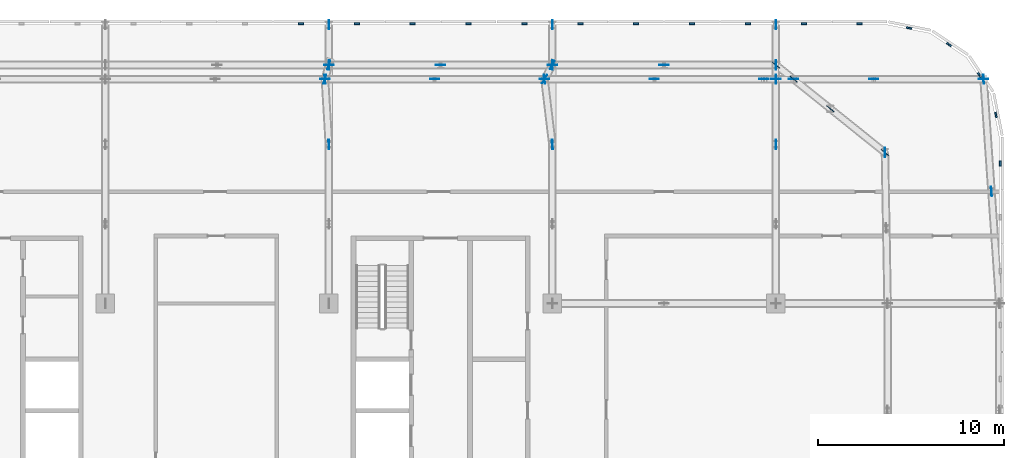
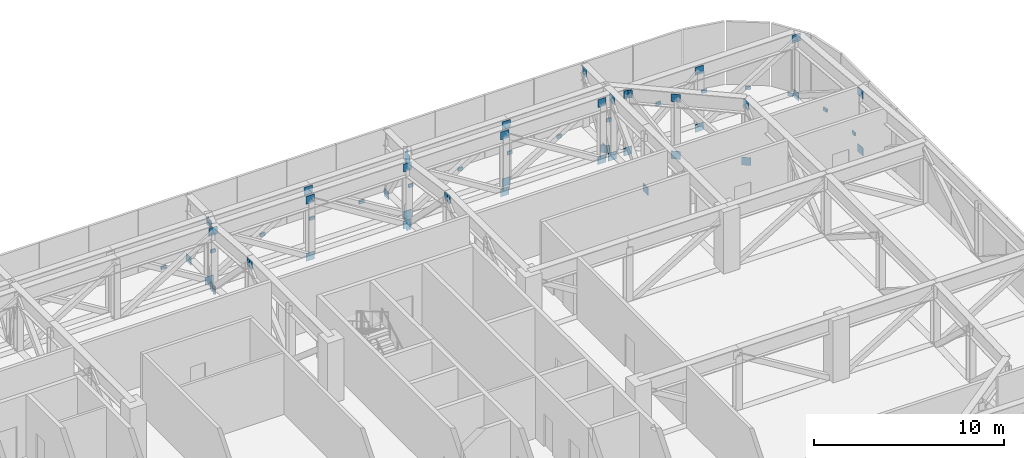
# One storey, part 23 of 29: 63 discrete accessories.
"""IFC4 building model written with IfcOpenShell, lengths in metres."""

from ifc_helpers import new_model, si_unit, direction, frame, origin, origin_2d, place, context, subcontext, project, spatial, rectangle, extrude, material, layer, layer_set, type_object, element, save


model = new_model("IFC4")

# Units and contexts
model_context = context("Model", 3, precision=1e-05, world=origin(), true_north=direction((0.0, 1.0)))
body_context = subcontext(model_context, "Body", "Model", "MODEL_VIEW")
ifc_project = project(units=[si_unit("LENGTHUNIT", "METRE"), si_unit("AREAUNIT", "SQUARE_METRE"), si_unit("VOLUMEUNIT", "CUBIC_METRE"), si_unit("PLANEANGLEUNIT", "RADIAN"), si_unit("MASSUNIT", "GRAM", prefix="KILO")], contexts=[model_context])

# Site, building, storey
site_placement = place(None, origin())
site = spatial("IfcSite", under=ifc_project, at=site_placement, CompositionType="ELEMENT")
building_placement = place(site_placement, origin())
building = spatial("IfcBuilding", under=site, at=building_placement, Name="Mahtab Terrace Research Tower", CompositionType="ELEMENT")
storey_placement = place(building_placement, frame((0.0, 0.0, 259.0)))
storey = spatial("IfcBuildingStorey", under=building, at=storey_placement, Name="L63", CompositionType="ELEMENT", Elevation=259.0)

# Discrete accessories
ifc_material_1 = material(Name="Black anodised aluminium", Category="aluminium")
discrete_accessory_type_1 = type_object("IfcDiscreteAccessoryType", Name="Facade bracket", PredefinedType="BRACKET", material=ifc_material_1)
for number, where, z_axis, x_axis, name in (
    (1, (54.044921875, 19.025634765625, -0.2998046875), (0.0, 0.0, 1.0), (0.0, 1.0, 0.0), "Louvre bracket L63 43"),
    (2, (53.815673828125, 21.6298828125, -0.2998046875), (0.0, 0.0, 1.0), (-0.195212442692, 0.980760981187, 0.0), "Louvre bracket L63 44"),
    (3, (52.930419921875, 23.767578125, -0.2998046875), (0.0, 0.0, 1.0), (-0.555291490808, 0.831655794326, 0.0), "Louvre bracket L63 45"),
    (4, (51.29443359375, 25.4033203125, -0.2998046875), (0.0, 0.0, 1.0), (-0.831655794326, 0.555291490808, 0.0), "Louvre bracket L63 46"),
    (5, (49.15673828125, 26.28857421875, -0.2998046875), (0.0, 0.0, 1.0), (-0.980760981187, 0.195212442692, 0.0), "Louvre bracket L63 47"),
    (6, (46.5, 26.51806640625, -0.2998046875), (0.0, 0.0, 1.0), (-1.0, 0.0, 0.0), "Louvre bracket L63 48"),
    (7, (43.5, 26.51806640625, -0.2998046875), (0.0, 0.0, 1.0), (-1.0, 0.0, 0.0), "Louvre bracket L63 49"),
    (8, (40.5, 26.51806640625, -0.2998046875), (0.0, 0.0, 1.0), (-1.0, 0.0, 0.0), "Louvre bracket L63 50"),
    (9, (37.5, 26.51806640625, -0.2998046875), (0.0, 0.0, 1.0), (-1.0, 0.0, 0.0), "Louvre bracket L63 51"),
    (10, (34.5, 26.51806640625, -0.2998046875), (0.0, 0.0, 1.0), (-1.0, 0.0, 0.0), "Louvre bracket L63 52"),
    (11, (31.5, 26.51806640625, -0.2998046875), (0.0, 0.0, 1.0), (-1.0, 0.0, 0.0), "Louvre bracket L63 53"),
    (12, (28.5, 26.51806640625, -0.2998046875), (0.0, 0.0, 1.0), (-1.0, 0.0, 0.0), "Louvre bracket L63 54"),
    (13, (25.5, 26.51806640625, -0.2998046875), (0.0, 0.0, 1.0), (-1.0, 0.0, 0.0), "Louvre bracket L63 55"),
    (14, (22.5, 26.51806640625, -0.2998046875), (0.0, 0.0, 1.0), (-1.0, 0.0, 0.0), "Louvre bracket L63 56"),
    (15, (19.5, 26.51806640625, -0.2998046875), (0.0, 0.0, 1.0), (-1.0, 0.0, 0.0), "Louvre bracket L63 57"),
    (16, (16.5, 26.51806640625, -0.2998046875), (0.0, 0.0, 1.0), (-1.0, 0.0, 0.0), "Louvre bracket L63 58"),
):
    element("IfcDiscreteAccessory", number, at=place(storey_placement, frame(where, z_axis=z_axis, x_axis=x_axis)), inside=storey, type_object=discrete_accessory_type_1, Name=name, PredefinedType="BRACKET", context=body_context, shape_type="SweptSolid", body=[
        extrude(rectangle(XDim=0.300048828125, YDim=0.090087890625, at=origin_2d()), origin(), (0.0, 0.0, 1.0), 0.199951171875),
    ])
ifc_material_2 = material(Name="Steel ASTM A992 Gr 50", Category="steel")
ifc_layer = layer(ifc_material_2, 0.030029296875)
ifc_layer_set = layer_set([ifc_layer], Name="Gusset plate 500x500x30")
discrete_accessory_type_2 = type_object("IfcDiscreteAccessoryType", Name="Gusset plate 500x500x30", PredefinedType="USERDEFINED", material=ifc_layer_set)
for number, where, z_axis, x_axis, name in (
    (17, (17.7880859375, 23.5458984375, 3.209716796875), (0.0, 0.0, 1.0), (1.0, 0.0, 0.0), "Gusset plate"),
    (18, (18.0, 24.306884765625, -0.44677734375), (0.0, 0.0, 1.0), (1.0, 0.0, 0.0), "Gusset plate"),
    (19, (23.68310546875, 23.5458984375, -0.44677734375), (0.0, 0.0, 1.0), (1.0, 0.0, 0.0), "Gusset plate"),
    (20, (23.68310546875, 23.5458984375, 3.209716796875), (0.0, 0.0, 1.0), (1.0, 0.0, 0.0), "Gusset plate"),
    (21, (24.0, 24.306884765625, 3.209716796875), (0.0, 0.0, 1.0), (1.0, 0.0, 0.0), "Gusset plate"),
    (22, (29.576904296875, 23.5458984375, -0.44677734375), (0.0, 0.0, 1.0), (1.0, 0.0, 0.0), "Gusset plate"),
    (23, (29.576904296875, 23.5458984375, 3.209716796875), (0.0, 0.0, 1.0), (1.0, 0.0, 0.0), "Gusset plate"),
    (24, (30.0, 24.306884765625, -0.44677734375), (0.0, 0.0, 1.0), (1.0, 0.0, 0.0), "Gusset plate"),
    (25, (35.470947265625, 23.5458984375, -0.44677734375), (0.0, 0.0, 1.0), (1.0, 0.0, 0.0), "Gusset plate"),
    (26, (35.470947265625, 23.5458984375, 3.209716796875), (0.0, 0.0, 1.0), (1.0, 0.0, 0.0), "Gusset plate"),
    (27, (36.0, 24.306884765625, -0.44677734375), (0.0, 0.0, 1.0), (1.0, 0.0, 0.0), "Gusset plate"),
    (28, (36.0, 24.306884765625, 3.209716796875), (0.0, 0.0, 1.0), (1.0, 0.0, 0.0), "Gusset plate"),
    (29, (41.365966796875, 23.5458984375, -0.44677734375), (0.0, 0.0, 1.0), (1.0, 0.0, 0.0), "Gusset plate"),
    (30, (41.365966796875, 23.5458984375, 3.209716796875), (0.0, 0.0, 1.0), (1.0, 0.0, 0.0), "Gusset plate"),
    (31, (42.0, 23.5458984375, -0.44677734375), (0.0, 0.0, 1.0), (1.0, 0.0, 0.0), "Gusset plate"),
    (32, (42.947998046875, 23.5458984375, -0.44677734375), (0.0, 0.0, 1.0), (1.0, 0.0, 0.0), "Gusset plate"),
    (33, (42.947998046875, 23.5458984375, 3.209716796875), (0.0, 0.0, 1.0), (1.0, 0.0, 0.0), "Gusset plate"),
    (34, (47.260009765625, 23.5458984375, -0.44677734375), (0.0, 0.0, 1.0), (1.0, 0.0, 0.0), "Gusset plate"),
    (35, (47.260009765625, 23.5458984375, 3.209716796875), (0.0, 0.0, 1.0), (1.0, 0.0, 0.0), "Gusset plate"),
    (36, (53.154052734375, 23.5458984375, 3.209716796875), (0.0, 0.0, 1.0), (1.0, 0.0, 0.0), "Gusset plate"),
    (37, (29.576904296875, 23.5458984375, -0.44677734375), (0.0, 0.0, 1.0), (0.485832043113, 0.874052187163, 0.0), "Gusset plate"),
    (38, (30.0, 24.306884765625, 3.209716796875), (0.0, 0.0, 1.0), (0.485832043113, 0.874052187163, 0.0), "Gusset plate"),
    (39, (17.7880859375, 23.5458984375, -0.44677734375), (0.0, 0.0, 1.0), (0.268365034227, 0.963317293733, 0.0), "Gusset plate"),
    (40, (18.0, 24.306884765625, 3.209716796875), (0.0, 0.0, 1.0), (0.268365034227, 0.963317293733, 0.0), "Gusset plate"),
    (41, (18.0, 20.0380859375, 3.209716796875), (0.0, 0.0, 1.0), (0.0, 1.0, 0.0), "Gusset plate"),
    (42, (18.0, 24.306884765625, 3.209716796875), (0.0, 0.0, 1.0), (0.0, 1.0, 0.0), "Gusset plate"),
    (43, (18.0, 26.472900390625, -0.44677734375), (0.0, 0.0, 1.0), (0.0, 1.0, 0.0), "Gusset plate"),
    (44, (30.0, 20.0380859375, 3.209716796875), (0.0, 0.0, 1.0), (0.0, 1.0, 0.0), "Gusset plate"),
    (45, (30.0, 24.306884765625, 3.209716796875), (0.0, 0.0, 1.0), (0.0, 1.0, 0.0), "Gusset plate"),
    (46, (30.0, 26.472900390625, -0.44677734375), (0.0, 0.0, 1.0), (0.0, 1.0, 0.0), "Gusset plate"),
    (47, (42.0, 20.0380859375, -0.44677734375), (0.0, 0.0, 1.0), (0.0, 1.0, 0.0), "Gusset plate"),
    (48, (42.0, 23.5458984375, 3.209716796875), (0.0, 0.0, 1.0), (0.0, 1.0, 0.0), "Gusset plate"),
    (49, (42.0, 24.306884765625, -0.44677734375), (0.0, 0.0, 1.0), (0.0, 1.0, 0.0), "Gusset plate"),
    (50, (42.0, 26.472900390625, 3.209716796875), (0.0, 0.0, 1.0), (0.0, 1.0, 0.0), "Gusset plate"),
    (51, (47.85693359375, 19.60498046875, 3.209716796875), (0.0, 0.0, 1.0), (-0.017522208932, 0.999846474312, 0.0), "Gusset plate"),
    (52, (17.7880859375, 23.5458984375, -0.44677734375), (0.0, 0.0, 1.0), (-0.060316852177, 0.998179281163, 0.0), "Gusset plate"),
    (53, (18.0, 20.0380859375, 3.209716796875), (0.0, 0.0, 1.0), (-0.060316852177, 0.998179281163, 0.0), "Gusset plate"),
    (54, (53.154052734375, 23.5458984375, -0.44677734375), (0.0, 0.0, 1.0), (-0.070052453881, 0.997543309188, 0.0), "Gusset plate"),
    (55, (53.576904296875, 17.52294921875, -0.44677734375), (0.0, 0.0, 1.0), (-0.070052453881, 0.997543309188, 0.0), "Gusset plate"),
    (56, (53.576904296875, 17.52294921875, 3.209716796875), (0.0, 0.0, 1.0), (-0.070052453881, 0.997543309188, 0.0), "Gusset plate"),
    (57, (29.576904296875, 23.5458984375, -0.44677734375), (0.0, 0.0, 1.0), (-0.119720983084, 0.992807577635, 0.0), "Gusset plate"),
    (58, (30.0, 20.0380859375, 3.209716796875), (0.0, 0.0, 1.0), (-0.119720983084, 0.992807577635, 0.0), "Gusset plate"),
    (59, (42.0, 24.306884765625, -0.44677734375), (0.0, 0.0, 1.0), (-0.779829857996, 0.625991527561, 0.0), "Gusset plate"),
    (60, (42.947998046875, 23.5458984375, 3.209716796875), (0.0, 0.0, 1.0), (-0.779829857996, 0.625991527561, 0.0), "Gusset plate"),
    (61, (44.927978515625, 21.9560546875, -0.44677734375), (0.0, 0.0, 1.0), (-0.779709661879, 0.626141232608, 0.0), "Gusset plate"),
    (62, (44.927978515625, 21.9560546875, 3.209716796875), (0.0, 0.0, 1.0), (-0.779851708747, 0.625964305982, 0.0), "Gusset plate"),
    (63, (47.85693359375, 19.60498046875, -0.44677734375), (0.0, 0.0, 1.0), (-0.779851708747, 0.625964305982, 0.0), "Gusset plate"),
):
    element("IfcDiscreteAccessory", number, at=place(storey_placement, frame(where, z_axis=z_axis, x_axis=x_axis)), inside=storey, type_object=discrete_accessory_type_2, Name=name, ObjectType="GUSSET PLATE", PredefinedType="USERDEFINED", context=body_context, shape_type="SweptSolid", body=[
        extrude(rectangle(XDim=0.5, YDim=0.030029296875, at=origin_2d()), origin(), (0.0, 0.0, 1.0), 0.5),
    ])

save(model, "model.ifc")
